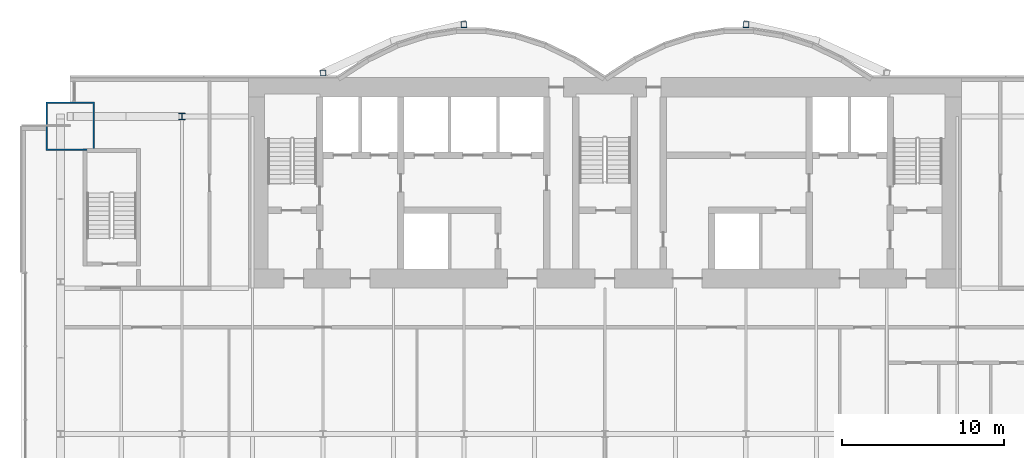
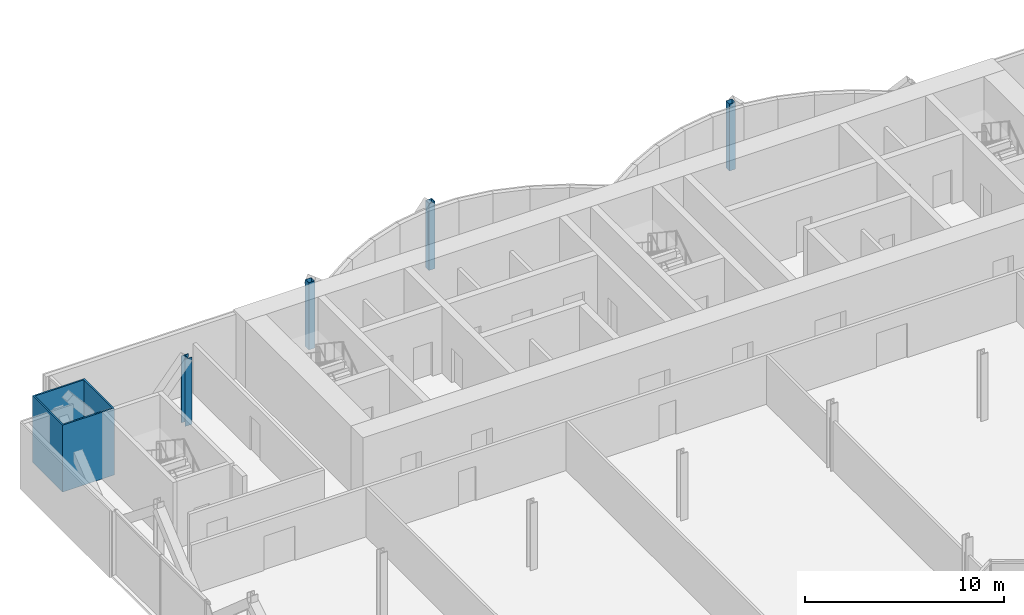
# One storey, part 2 of 21: 5 columns.
"""IFC4 building model written with IfcOpenShell, lengths in metres."""

import ifcopenshell
import ifcopenshell.guid

model = None  # the IFC model being written
_history = None  # IfcOwnerHistory: only IFC2X3 demands one
_inside = {}  # id of a spatial element -> (the spatial element, [elements in it])
_under = {}  # id of a project, library or spatial element -> (it, [spatial elements below it])
_declared = {}  # id of a project -> (the project, [libraries it declares])
_typed = {}  # id of a type object -> (the type object, [elements of that type])
_made_of = {}  # id of a material, layer set ... -> (it, [elements and type objects made of it])


def new_model(schema):
    """Start an empty IFC model of exactly this schema.

    Asked for "IFC4X3", IfcOpenShell would pick the latest addendum, in which some entities
    have other attributes; the version numbers below select the first issue.
    IFC2X3 requires an IfcOwnerHistory on every rooted entity: one is made here for all.
    """
    global model, _history
    if schema == "IFC4X3":
        model = ifcopenshell.file(schema_version=(4, 3, 0, 0))
    else:
        model = ifcopenshell.file(schema=schema)
    _inside.clear()
    _under.clear()
    _declared.clear()
    _typed.clear()
    _made_of.clear()
    _history = None
    if model.schema == "IFC2X3":
        org = make("IfcOrganization", Name="unknown")
        user = make(
            "IfcPersonAndOrganization",
            ThePerson=make("IfcPerson", FamilyName="unknown"),
            TheOrganization=org,
        )
        app = make(
            "IfcApplication",
            ApplicationDeveloper=org,
            Version="unknown",
            ApplicationFullName="unknown",
            ApplicationIdentifier="unknown",
        )
        _history = make(
            "IfcOwnerHistory",
            OwningUser=user,
            OwningApplication=app,
            ChangeAction="ADDED",
            CreationDate=0,
        )
    return model


def make(cls, **values):
    """One entity of the class cls with the attributes given. An attribute that is None is left unset."""
    return model.create_entity(
        cls, **{name: value for name, value in values.items() if value is not None}
    )


def rooted(cls, **values):
    """An entity with a GlobalId (a new one), such as an element, a storey or a relation."""
    return make(cls, GlobalId=ifcopenshell.guid.new(), OwnerHistory=_history, **values)


def si_unit(unit_type, name, prefix=None):
    """IfcSIUnit, for example si_unit("LENGTHUNIT", "METRE", prefix="MILLI")."""
    return make("IfcSIUnit", UnitType=unit_type, Prefix=prefix, Name=name)


def assignment(units):
    """IfcUnitAssignment: the units of a project."""
    return None if units is None else make("IfcUnitAssignment", Units=units)


def point(xyz):
    """IfcCartesianPoint."""
    return None if xyz is None else make("IfcCartesianPoint", Coordinates=xyz)


def direction(xyz):
    """IfcDirection."""
    return None if xyz is None else make("IfcDirection", DirectionRatios=xyz)


def frame(location, z_axis=None, x_axis=None):
    """IfcAxis2Placement3D, a coordinate frame: its origin and axes. An axis left out is left unset."""
    return make(
        "IfcAxis2Placement3D",
        Location=point(location),
        Axis=direction(z_axis),
        RefDirection=direction(x_axis),
    )


def frame_2d(location, x_axis=None):
    """IfcAxis2Placement2D, a coordinate frame in the plane: its origin and x axis."""
    return make(
        "IfcAxis2Placement2D", Location=point(location), RefDirection=direction(x_axis)
    )


def origin():
    """The frame at (0, 0, 0) with its axes left unset."""
    return frame((0.0, 0.0, 0.0))


def origin_2d():
    """The frame at (0, 0) in the plane with its x axis left unset."""
    return frame_2d((0.0, 0.0))


def place(relative_to, where):
    """IfcLocalPlacement: puts the frame where relative to a parent placement (None: the world)."""
    return make(
        "IfcLocalPlacement", PlacementRelTo=relative_to, RelativePlacement=where
    )


def context(
    kind, dimensions, precision=None, world=None, true_north=None, identifier=None
):
    """IfcGeometricRepresentationContext, for example the 3D "Model" context."""
    return make(
        "IfcGeometricRepresentationContext",
        ContextIdentifier=identifier,
        ContextType=kind,
        CoordinateSpaceDimension=dimensions,
        Precision=precision,
        WorldCoordinateSystem=world,
        TrueNorth=true_north,
    )


def subcontext(parent, identifier, kind, view, scale=None):
    """IfcGeometricRepresentationSubContext, for example "Body" below "Model"."""
    return make(
        "IfcGeometricRepresentationSubContext",
        ContextIdentifier=identifier,
        ContextType=kind,
        ParentContext=parent,
        TargetScale=scale,
        TargetView=view,
    )


def project(units=None, contexts=None):
    """IfcProject with its units and contexts."""
    return rooted(
        "IfcProject",
        Name="project",
        RepresentationContexts=contexts,
        UnitsInContext=assignment(units),
    )


def spatial(cls, under=None, at=None, **own):
    """A site, building, storey or space (cls), placed at a placement, below another one or the project."""
    s = rooted(cls, ObjectPlacement=at, **own)
    if under is not None:
        _under.setdefault(under.id(), (under, []))[1].append(s)
    return s


def profile(cls, at=None, kind="AREA", **sizes):
    """A parametric profile (cls). Its sizes go by their IFC names, for example OverallWidth=200.0."""
    return make(cls, ProfileType=kind, Position=at, **sizes)


def hollow_rectangle(**sizes):
    """IfcRectangleHollowProfileDef."""
    return profile("IfcRectangleHollowProfileDef", **sizes)


def i_section(**sizes):
    """IfcIShapeProfileDef."""
    return profile("IfcIShapeProfileDef", **sizes)


def extrude(swept, where, along, depth):
    """IfcExtrudedAreaSolid: the profile swept, set in the frame where, extruded along a direction by depth."""
    return make(
        "IfcExtrudedAreaSolid",
        SweptArea=swept,
        Position=where,
        ExtrudedDirection=direction(along),
        Depth=depth,
    )


def shape(context_of_items, identifier, shape_type, items):
    """IfcShapeRepresentation: the items that make up one representation, for example the "Body"."""
    return make(
        "IfcShapeRepresentation",
        ContextOfItems=context_of_items,
        RepresentationIdentifier=identifier,
        RepresentationType=shape_type,
        Items=items,
    )


def material(Name=None, Category=None):
    """IfcMaterial."""
    return make("IfcMaterial", Name=Name, Category=Category)


def material_profile(
    of_material, cross_section, Name=None, Category=None, Priority=None
):
    """IfcMaterialProfile: a cross section and its material."""
    return make(
        "IfcMaterialProfile",
        Name=Name,
        Material=of_material,
        Profile=cross_section,
        Priority=Priority,
        Category=Category,
    )


def profile_set(profiles, Name=None, composite=None):
    """IfcMaterialProfileSet."""
    return make(
        "IfcMaterialProfileSet",
        Name=Name,
        MaterialProfiles=profiles,
        CompositeProfile=composite,
    )


def made_of(thing, what):
    """Note that an element or type object is made of a material, layer set ...; save() writes the relation."""
    if what is not None:
        _made_of.setdefault(what.id(), (what, []))[1].append(thing)
    return thing


def type_object(cls, material=None, **own):
    """A type object (cls), such as IfcWallType, which elements share."""
    return made_of(rooted(cls, **own), material)


def element(
    cls,
    number,
    at=None,
    inside=None,
    cuts=None,
    type_object=None,
    material=None,
    context=None,
    identifier="Body",
    shape_type=None,
    held_by="IfcProductDefinitionShape",
    body=None,
    shapes=None,
    **own,
):
    """One element of the class cls, such as IfcWall. Its Tag is "e" and its number.

    at: its placement. inside: the storey or other place that contains it. cuts: it is an
    opening in that element (IfcRelVoidsElement). A single representation is given by context,
    identifier, shape_type and body (its items); several are given by shapes. held_by: the class
    of the entity that holds the representations. save() writes the other relations.
    """
    e = rooted(cls, Tag="e%d" % number, ObjectPlacement=at, **own)
    if body is not None:
        shapes = [shape(context, identifier, shape_type, body)]
    if shapes is not None:
        e.Representation = make(held_by, Representations=shapes)
    if inside is not None:
        _inside.setdefault(inside.id(), (inside, []))[1].append(e)
    if cuts is not None:
        rooted(
            "IfcRelVoidsElement", RelatingBuildingElement=cuts, RelatedOpeningElement=e
        )
    if type_object is not None:
        _typed.setdefault(type_object.id(), (type_object, []))[1].append(e)
    return made_of(e, material)


def aggregate(whole, parts):
    """IfcRelAggregates: a whole, such as a stair, and the parts it consists of."""
    return rooted("IfcRelAggregates", RelatingObject=whole, RelatedObjects=parts)


def save(model, path):
    """Write the relations noted so far, then the file.

    IfcRelAggregates (storeys below a building ...), IfcRelContainedInSpatialStructure (elements
    in a storey), IfcRelDefinesByType, IfcRelAssociatesMaterial and IfcRelDeclares: one each for
    every whole, place, type object, material and project.
    """
    for whole, parts in _under.values():
        aggregate(whole, parts)
    for where, things in _inside.values():
        rooted(
            "IfcRelContainedInSpatialStructure",
            RelatedElements=things,
            RelatingStructure=where,
        )
    for kind, things in _typed.values():
        rooted("IfcRelDefinesByType", RelatedObjects=things, RelatingType=kind)
    for what, things in _made_of.values():
        rooted("IfcRelAssociatesMaterial", RelatedObjects=things, RelatingMaterial=what)
    for by, libraries in _declared.values():
        rooted("IfcRelDeclares", RelatingContext=by, RelatedDefinitions=libraries)
    model.write(path)


model = new_model("IFC4")

# Units and contexts
model_context = context("Model", 3, precision=1e-05, world=origin(), true_north=direction((0.0, 1.0)))
body_context = subcontext(model_context, "Body", "Model", "MODEL_VIEW")
ifc_project = project(units=[si_unit("LENGTHUNIT", "METRE"), si_unit("AREAUNIT", "SQUARE_METRE"), si_unit("VOLUMEUNIT", "CUBIC_METRE"), si_unit("PLANEANGLEUNIT", "RADIAN"), si_unit("MASSUNIT", "GRAM", prefix="KILO")], contexts=[model_context])

# Site, building, storey
site_placement = place(None, origin())
site = spatial("IfcSite", under=ifc_project, at=site_placement, CompositionType="ELEMENT")
building_placement = place(site_placement, origin())
building = spatial("IfcBuilding", under=site, at=building_placement, Name="Bicima Exchange Tower", CompositionType="ELEMENT")
storey_placement = place(building_placement, frame((0.0, 0.0, 106.300048828125)))
storey = spatial("IfcBuildingStorey", under=building, at=storey_placement, Name="L22", CompositionType="ELEMENT", Elevation=106.300048828125)

# Columns
ifc_material_1 = material(Name="Steel ASTM A572 Gr 50", Category="steel")
ifc_material_profile_1 = material_profile(ifc_material_1, hollow_rectangle(XDim=3.0, YDim=3.0, WallThickness=0.090087890625, at=origin_2d()))
ifc_profile_set_1 = profile_set([ifc_material_profile_1], Name="Steel ASTM A572 Gr 50")
column_type_1 = type_object("IfcColumnType", Name="Mega column BOX 3000x3000x90", PredefinedType="COLUMN", material=ifc_profile_set_1)
column_1_placement = place(storey_placement, frame((-33.0, -3.0, 0.0), z_axis=(0.0, 0.0, 1.0), x_axis=(1.0, 0.0, 0.0)))
element("IfcColumn", 1, at=column_1_placement, inside=storey, type_object=column_type_1, Name="Mega column mega-33.0r", PredefinedType="COLUMN", context=body_context, shape_type="SweptSolid", body=[
    extrude(hollow_rectangle(XDim=3.0, YDim=3.0, WallThickness=0.090087890625, at=origin_2d()), origin(), (0.0, 0.0, 1.0), 4.099853515625),
])
ifc_material_2 = material(Name="Steel ASTM A992 Gr 50", Category="steel")
ifc_material_profile_2 = material_profile(ifc_material_2, i_section(OverallWidth=0.398681640625, OverallDepth=0.393798828125, WebThickness=0.022705078125, FlangeThickness=0.03662109375, at=origin_2d()))
ifc_profile_set_2 = profile_set([ifc_material_profile_2], Name="Steel ASTM A992 Gr 50")
column_type_2 = type_object("IfcColumnType", Name="Perimeter column W14x193", PredefinedType="COLUMN", material=ifc_profile_set_2)
column_2_placement = place(storey_placement, frame((-26.10009765625, -2.39990234375, 0.0), z_axis=(0.0, 0.0, 1.0), x_axis=(1.0, 0.0, 0.0)))
element("IfcColumn", 2, at=column_2_placement, inside=storey, type_object=column_type_2, Name="Perimeter column grav-26.1r", PredefinedType="COLUMN", context=body_context, shape_type="SweptSolid", body=[
    extrude(i_section(OverallWidth=0.398681640625, OverallDepth=0.393798828125, WebThickness=0.022705078125, FlangeThickness=0.03662109375, at=origin_2d()), origin(), (0.0, 0.0, 1.0), 4.099853515625),
])
ifc_material_profile_3 = material_profile(ifc_material_1, hollow_rectangle(XDim=0.355712890625, YDim=0.355712890625, WallThickness=0.01171875, at=origin_2d()))
ifc_profile_set_3 = profile_set([ifc_material_profile_3], Name="Steel ASTM A572 Gr 50")
column_type_3 = type_object("IfcColumnType", Name="Rear pilaster HSS14x14x1/2", PredefinedType="COLUMN", material=ifc_profile_set_3)
for number, where, z_axis, x_axis, name in (
    (3, (-8.699951171875, 3.26904296875, 0.0), (0.0, 0.0, 1.0), (1.0, 0.0, 0.0), "Rear pilaster rexo-8.7r"),
    (4, (-17.39990234375, 0.278076171875, 0.0), (0.0, 0.0, 1.0), (1.0, 0.0, 0.0), "Rear pilaster rexo-17.4r"),
    (5, (8.699951171875, 3.26904296875, 0.0), (0.0, 0.0, 1.0), (1.0, 0.0, 0.0), "Rear pilaster rexo+8.7r"),
):
    element("IfcColumn", number, at=place(storey_placement, frame(where, z_axis=z_axis, x_axis=x_axis)), inside=storey, type_object=column_type_3, Name=name, PredefinedType="COLUMN", context=body_context, shape_type="SweptSolid", body=[
        extrude(hollow_rectangle(XDim=0.355712890625, YDim=0.355712890625, WallThickness=0.01171875, at=origin_2d()), origin(), (0.0, 0.0, 1.0), 4.099853515625),
    ])

save(model, "model.ifc")
